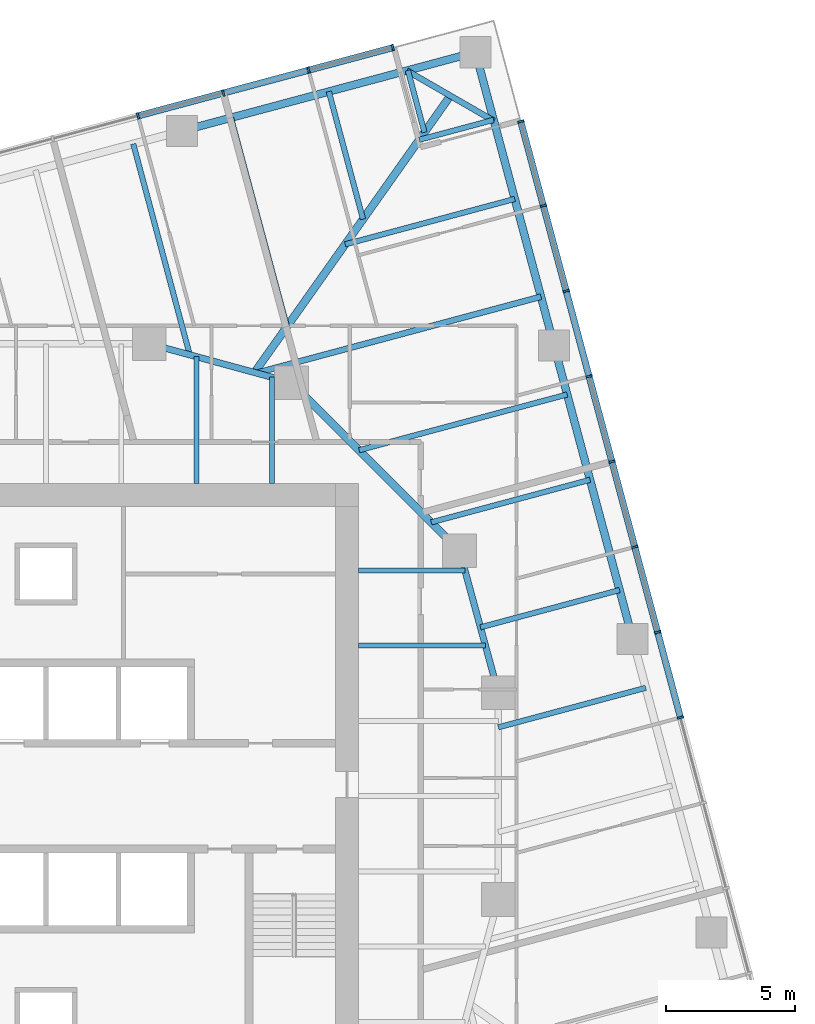
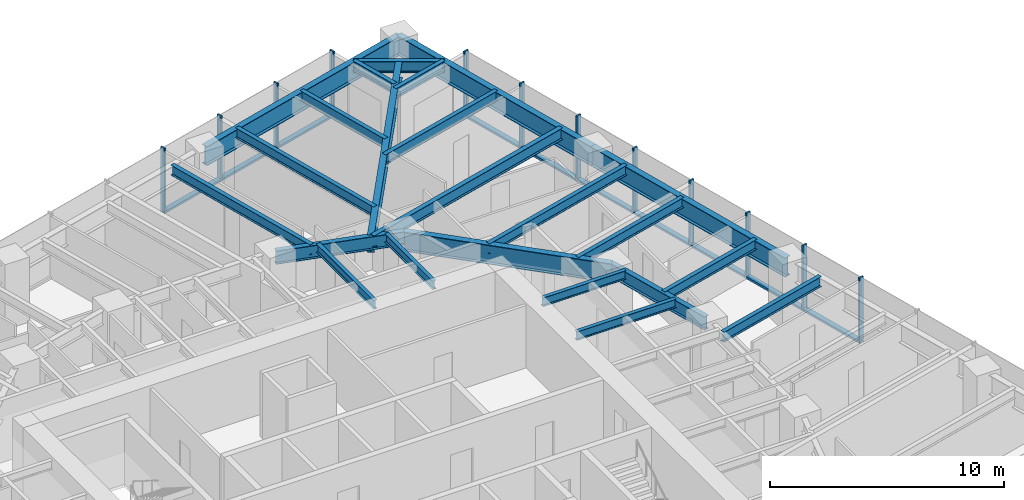
# One storey, part 6 of 15: 23 beams, 22 members, 2 elements without a shape of their own.
"""IFC4 building model written with IfcOpenShell, lengths in metres."""

from ifc_helpers import new_model, si_unit, direction, frame, origin, origin_2d, place, context, subcontext, project, spatial, rectangle, i_section, extrude, material, material_profile, profile_set, type_object, element, aggregate, save


model = new_model("IFC4")

# Units and contexts
model_context = context("Model", 3, precision=1e-05, world=origin(), true_north=direction((0.0, 1.0)))
body_context = subcontext(model_context, "Body", "Model", "MODEL_VIEW")
ifc_project = project(units=[si_unit("LENGTHUNIT", "METRE"), si_unit("AREAUNIT", "SQUARE_METRE"), si_unit("VOLUMEUNIT", "CUBIC_METRE"), si_unit("PLANEANGLEUNIT", "RADIAN"), si_unit("MASSUNIT", "GRAM", prefix="KILO")], contexts=[model_context])

# Site, building, storey
site_placement = place(None, origin())
site = spatial("IfcSite", under=ifc_project, at=site_placement, CompositionType="ELEMENT")
building_placement = place(site_placement, origin())
building = spatial("IfcBuilding", under=site, at=building_placement, Name="Torsade Residences", CompositionType="ELEMENT")
storey_placement = place(building_placement, frame((0.0, 0.0, 132.0)))
storey = spatial("IfcBuildingStorey", under=building, at=storey_placement, Name="L36", CompositionType="ELEMENT", Elevation=132.0)

# Beams
ifc_material_1 = material(Name="Steel grade 300", Category="steel")
ifc_material_profile_1 = material_profile(ifc_material_1, i_section(OverallWidth=0.300048828125, OverallDepth=0.89990234375, WebThickness=0.011962890625, FlangeThickness=0.02490234375, at=origin_2d()), Name="900WB175")
ifc_profile_set_1 = profile_set([ifc_material_profile_1], Name="Steel grade 300")
beam_type_1 = type_object("IfcBeamType", Name="CORNER GIRDER 900WB175", PredefinedType="BEAM", material=ifc_profile_set_1)
beam_1_placement = place(storey_placement, frame((55.644775390625, 57.097412109375, 2.800048828125), z_axis=(-0.577683167004, -0.816261084801, 0.0), x_axis=(0.816261084801, -0.577683167004, 0.0)))
element("IfcBeam", 1, at=beam_1_placement, inside=storey, type_object=beam_type_1, Name="Corner girder 09 L37", PredefinedType="BEAM", context=body_context, shape_type="SweptSolid", body=[
    extrude(i_section(OverallWidth=0.300048828125, OverallDepth=0.89990234375, WebThickness=0.011962890625, FlangeThickness=0.02490234375, at=origin_2d()), origin(), (0.0, 0.0, 1.0), 13.116943359375),
])
ifc_material_2 = material(Name="Steel grade 300", Category="steel")
ifc_material_profile_2 = material_profile(ifc_material_2, i_section(OverallWidth=0.22802734375, OverallDepth=0.60205078125, WebThickness=0.010498046875, FlangeThickness=0.014892578125, FilletRadius=0.013916015625, at=origin_2d()), Name="610UB101")
ifc_profile_set_2 = profile_set([ifc_material_profile_2], Name="Steel grade 300")
beam_type_2 = type_object("IfcBeamType", Name="CORNER TRIMMER 610UB101", PredefinedType="BEAM", material=ifc_profile_set_2)
beam_2_placement = place(storey_placement, frame((53.960693359375, 58.06982421875, 2.948974609375), z_axis=(0.866028782848, -0.499994147244, 0.0), x_axis=(0.499994147244, 0.866028782848, 0.0)))
element("IfcBeam", 2, at=beam_2_placement, inside=storey, type_object=beam_type_2, Name="Corner trimmer 09 L37", PredefinedType="BEAM", context=body_context, shape_type="SweptSolid", body=[
    extrude(i_section(OverallWidth=0.22802734375, OverallDepth=0.60205078125, WebThickness=0.010498046875, FlangeThickness=0.014892578125, FilletRadius=0.013916015625, at=origin_2d()), origin(), (0.0, 0.0, 1.0), 3.88916015625),
])
ifc_material_3 = material(Name="Steel grade 300", Category="steel")
ifc_material_profile_3 = material_profile(ifc_material_3, i_section(OverallWidth=0.300048828125, OverallDepth=1.0, WebThickness=0.01611328125, FlangeThickness=0.028076171875, at=origin_2d()), Name="1000WB215")
ifc_profile_set_3 = profile_set([ifc_material_profile_3], Name="Steel grade 300")
beam_type_3 = type_object("IfcBeamType", Name="EDGE BEAM 1000WB215", PredefinedType="SPANDREL", material=ifc_profile_set_3)
for number, where, z_axis, x_axis, name in (
    (3, (62.69921875, 36.082275390625, 2.75), (-0.258810863021, 0.965928018634, 0.0), (-0.965928018634, -0.258810863021, 0.0), "Edge beam 07 L37"),
    (4, (59.658203125, 47.431884765625, 2.75), (-0.258830249097, 0.965922824118, 0.0), (-0.965922824118, -0.258830249097, 0.0), "Edge beam 08 L37"),
    (5, (56.616943359375, 58.781494140625, 2.75), (-0.965928018634, -0.258810863021, 0.0), (0.258810863021, -0.965928018634, 0.0), "Edge beam 09 L37"),
):
    element("IfcBeam", number, at=place(storey_placement, frame(where, z_axis=z_axis, x_axis=x_axis)), inside=storey, type_object=beam_type_3, Name=name, PredefinedType="SPANDREL", context=body_context, shape_type="SweptSolid", body=[
        extrude(i_section(OverallWidth=0.300048828125, OverallDepth=1.0, WebThickness=0.01611328125, FlangeThickness=0.028076171875, at=origin_2d()), origin(), (0.0, 0.0, 1.0), 11.75),
    ])
ifc_material_4 = material(Name="Steel grade 300", Category="steel")
ifc_material_profile_4 = material_profile(ifc_material_4, i_section(OverallWidth=0.18994140625, OverallDepth=0.4541015625, WebThickness=0.008544921875, FlangeThickness=0.0126953125, FilletRadius=0.011474609375, at=origin_2d()), Name="460UB67.1")
ifc_profile_set_4 = profile_set([ifc_material_profile_4], Name="Steel grade 300")
beam_type_4 = type_object("IfcBeamType", Name="INNER FLOOR BEAM 460UB67.1", PredefinedType="JOIST", material=ifc_profile_set_4)
beam_3_placement = place(storey_placement, frame((45.824951171875, 42.10009765625, 3.02294921875), z_axis=(0.0, 1.0, 0.0), x_axis=(-1.0, 0.0, 0.0)))
element("IfcBeam", 6, at=beam_3_placement, inside=storey, type_object=beam_type_4, Name="Inner floor beam IN06 L37", PredefinedType="JOIST", context=body_context, shape_type="SweptSolid", body=[
    extrude(i_section(OverallWidth=0.18994140625, OverallDepth=0.4541015625, WebThickness=0.008544921875, FlangeThickness=0.0126953125, FilletRadius=0.011474609375, at=origin_2d()), origin(), (0.0, 0.0, 1.0), 4.902099609375),
])
beam_4_placement = place(storey_placement, frame((48.737548828125, 42.10009765625, 3.02294921875), z_axis=(0.0, 1.0, 0.0), x_axis=(-1.0, 0.0, 0.0)))
element("IfcBeam", 7, at=beam_4_placement, inside=storey, type_object=beam_type_4, Name="Inner floor beam IN07 L37", PredefinedType="JOIST", context=body_context, shape_type="SweptSolid", body=[
    extrude(i_section(OverallWidth=0.18994140625, OverallDepth=0.4541015625, WebThickness=0.008544921875, FlangeThickness=0.0126953125, FilletRadius=0.011474609375, at=origin_2d()), origin(), (0.0, 0.0, 1.0), 4.10791015625),
])
beam_5_placement = place(storey_placement, frame((52.10009765625, 35.824951171875, 3.02294921875), z_axis=(1.0, 0.0, 0.0), x_axis=(0.0, 1.0, 0.0)))
element("IfcBeam", 8, at=beam_5_placement, inside=storey, type_object=beam_type_4, Name="Inner floor beam IE06 L37", PredefinedType="JOIST", context=body_context, shape_type="SweptSolid", body=[
    extrude(i_section(OverallWidth=0.18994140625, OverallDepth=0.4541015625, WebThickness=0.008544921875, FlangeThickness=0.0126953125, FilletRadius=0.011474609375, at=origin_2d()), origin(), (0.0, 0.0, 1.0), 4.902099609375),
])
beam_6_placement = place(storey_placement, frame((52.10009765625, 38.737548828125, 3.02294921875), z_axis=(1.0, 0.0, 0.0), x_axis=(0.0, 1.0, 0.0)))
element("IfcBeam", 9, at=beam_6_placement, inside=storey, type_object=beam_type_4, Name="Inner floor beam IE07 L37", PredefinedType="JOIST", context=body_context, shape_type="SweptSolid", body=[
    extrude(i_section(OverallWidth=0.18994140625, OverallDepth=0.4541015625, WebThickness=0.008544921875, FlangeThickness=0.0126953125, FilletRadius=0.011474609375, at=origin_2d()), origin(), (0.0, 0.0, 1.0), 4.10791015625),
])

# Curtain wall, members
ifc_material_5 = material(Name="Aluminium and glass", Category="aluminium")
curtain_wall_type = type_object("IfcCurtainWallType", Name="FRITTED GLASS CURTAIN WALL MID ZONE", PredefinedType="NOTDEFINED", material=ifc_material_5)
curtain_wall_1_placement = place(storey_placement, origin())
curtain_wall_1 = element("IfcCurtainWall", 10, at=curtain_wall_1_placement, inside=storey, type_object=curtain_wall_type, Name="Curtain wall L36 face 4", PredefinedType="NOTDEFINED")
ifc_material_6 = material(Name="Aluminium mullion", Category="aluminium")
ifc_material_profile_5 = material_profile(ifc_material_6, rectangle(XDim=0.25, YDim=0.080078125, at=origin_2d()), Name="MID ZONE CURTAIN WALL MULLION 250x80")
ifc_profile_set_5 = profile_set([ifc_material_profile_5], Name="Aluminium mullion")
member_type_1 = type_object("IfcMemberType", Name="MID ZONE CURTAIN WALL MULLION 250x80", PredefinedType="MULLION", material=ifc_profile_set_5)
member_1_placement = place(storey_placement, frame((64.549560546875, 33.040771484375, 0.0), z_axis=(0.0, 0.0, 1.0), x_axis=(-0.965925825571, -0.258819047783, 0.0)))
member_1 = element("IfcMember", 11, at=member_1_placement, type_object=member_type_1, Name="Mullion 6", PredefinedType="MULLION", context=body_context, shape_type="SweptSolid", body=[
    extrude(rectangle(XDim=0.25, YDim=0.080078125, at=origin_2d()), origin(), (0.0, 0.0, 1.0), 3.39990234375),
])
member_2_placement = place(storey_placement, frame((63.665283203125, 36.341064453125, 0.0), z_axis=(0.0, 0.0, 1.0), x_axis=(-0.965925825571, -0.258819047783, 0.0)))
member_2 = element("IfcMember", 12, at=member_2_placement, type_object=member_type_1, Name="Mullion 7", PredefinedType="MULLION", context=body_context, shape_type="SweptSolid", body=[
    extrude(rectangle(XDim=0.25, YDim=0.080078125, at=origin_2d()), origin(), (0.0, 0.0, 1.0), 3.39990234375),
])
member_3_placement = place(storey_placement, frame((62.781005859375, 39.641357421875, 0.0), z_axis=(0.0, 0.0, 1.0), x_axis=(-0.965925825571, -0.258819047783, 0.0)))
member_3 = element("IfcMember", 13, at=member_3_placement, type_object=member_type_1, Name="Mullion 8", PredefinedType="MULLION", context=body_context, shape_type="SweptSolid", body=[
    extrude(rectangle(XDim=0.25, YDim=0.080078125, at=origin_2d()), origin(), (0.0, 0.0, 1.0), 3.39990234375),
])
member_4_placement = place(storey_placement, frame((61.896484375, 42.941650390625, 0.0), z_axis=(0.0, 0.0, 1.0), x_axis=(-0.965925825571, -0.258819047783, 0.0)))
member_4 = element("IfcMember", 14, at=member_4_placement, type_object=member_type_1, Name="Mullion 9", PredefinedType="MULLION", context=body_context, shape_type="SweptSolid", body=[
    extrude(rectangle(XDim=0.25, YDim=0.080078125, at=origin_2d()), origin(), (0.0, 0.0, 1.0), 3.39990234375),
])
member_5_placement = place(storey_placement, frame((61.01220703125, 46.24169921875, 0.0), z_axis=(0.0, 0.0, 1.0), x_axis=(-0.965925825571, -0.258819047783, 0.0)))
member_5 = element("IfcMember", 15, at=member_5_placement, type_object=member_type_1, Name="Mullion 10", PredefinedType="MULLION", context=body_context, shape_type="SweptSolid", body=[
    extrude(rectangle(XDim=0.25, YDim=0.080078125, at=origin_2d()), origin(), (0.0, 0.0, 1.0), 3.39990234375),
])
member_6_placement = place(storey_placement, frame((60.1279296875, 49.5419921875, 0.0), z_axis=(0.0, 0.0, 1.0), x_axis=(-0.965925825571, -0.258819047783, 0.0)))
member_6 = element("IfcMember", 16, at=member_6_placement, type_object=member_type_1, Name="Mullion 11", PredefinedType="MULLION", context=body_context, shape_type="SweptSolid", body=[
    extrude(rectangle(XDim=0.25, YDim=0.080078125, at=origin_2d()), origin(), (0.0, 0.0, 1.0), 3.39990234375),
])
member_7_placement = place(storey_placement, frame((59.24365234375, 52.84228515625, 0.0), z_axis=(0.0, 0.0, 1.0), x_axis=(-0.965925825571, -0.258819047783, 0.0)))
member_7 = element("IfcMember", 17, at=member_7_placement, type_object=member_type_1, Name="Mullion 12", PredefinedType="MULLION", context=body_context, shape_type="SweptSolid", body=[
    extrude(rectangle(XDim=0.25, YDim=0.080078125, at=origin_2d()), origin(), (0.0, 0.0, 1.0), 3.39990234375),
])
member_8_placement = place(storey_placement, frame((58.36962890625, 56.10400390625, 0.0), z_axis=(0.0, 0.0, 1.0), x_axis=(-0.965925825571, -0.258819047783, 0.0)))
member_8 = element("IfcMember", 18, at=member_8_placement, type_object=member_type_1, Name="Mullion 13", PredefinedType="MULLION", context=body_context, shape_type="SweptSolid", body=[
    extrude(rectangle(XDim=0.25, YDim=0.080078125, at=origin_2d()), origin(), (0.0, 0.0, 1.0), 3.39990234375),
])

curtain_wall_2_placement = place(storey_placement, origin())
curtain_wall_2 = element("IfcCurtainWall", 19, at=curtain_wall_2_placement, inside=storey, type_object=curtain_wall_type, Name="Curtain wall L36 face 7", PredefinedType="NOTDEFINED")
member_9_placement = place(storey_placement, frame((53.421875, 58.960693359375, 0.0), z_axis=(0.0, 0.0, 1.0), x_axis=(0.258819047783, -0.965925825571, 0.0)))
member_9 = element("IfcMember", 20, at=member_9_placement, type_object=member_type_1, Name="Mullion 1", PredefinedType="MULLION", context=body_context, shape_type="SweptSolid", body=[
    extrude(rectangle(XDim=0.25, YDim=0.080078125, at=origin_2d()), origin(), (0.0, 0.0, 1.0), 3.39990234375),
])
member_10_placement = place(storey_placement, frame((50.16015625, 58.086669921875, 0.0), z_axis=(0.0, 0.0, 1.0), x_axis=(0.258819047783, -0.965925825571, 0.0)))
member_10 = element("IfcMember", 21, at=member_10_placement, type_object=member_type_1, Name="Mullion 2", PredefinedType="MULLION", context=body_context, shape_type="SweptSolid", body=[
    extrude(rectangle(XDim=0.25, YDim=0.080078125, at=origin_2d()), origin(), (0.0, 0.0, 1.0), 3.39990234375),
])
member_11_placement = place(storey_placement, frame((46.85986328125, 57.202392578125, 0.0), z_axis=(0.0, 0.0, 1.0), x_axis=(0.258819047783, -0.965925825571, 0.0)))
member_11 = element("IfcMember", 22, at=member_11_placement, type_object=member_type_1, Name="Mullion 3", PredefinedType="MULLION", context=body_context, shape_type="SweptSolid", body=[
    extrude(rectangle(XDim=0.25, YDim=0.080078125, at=origin_2d()), origin(), (0.0, 0.0, 1.0), 3.39990234375),
])
member_12_placement = place(storey_placement, frame((43.5595703125, 56.318115234375, 0.0), z_axis=(0.0, 0.0, 1.0), x_axis=(0.258819047783, -0.965925825571, 0.0)))
member_12 = element("IfcMember", 23, at=member_12_placement, type_object=member_type_1, Name="Mullion 4", PredefinedType="MULLION", context=body_context, shape_type="SweptSolid", body=[
    extrude(rectangle(XDim=0.25, YDim=0.080078125, at=origin_2d()), origin(), (0.0, 0.0, 1.0), 3.39990234375),
])

# Member
ifc_material_7 = material(Name="Aluminium transom", Category="aluminium")
ifc_material_profile_6 = material_profile(ifc_material_7, rectangle(XDim=0.25, YDim=0.110107421875, at=origin_2d()), Name="MID ZONE CURTAIN WALL TRANSOM 250x110")
ifc_profile_set_6 = profile_set([ifc_material_profile_6], Name="Aluminium transom")
member_type_2 = type_object("IfcMemberType", Name="MID ZONE CURTAIN WALL TRANSOM 250x110", PredefinedType="USERDEFINED", material=ifc_profile_set_6)
member_13_placement = place(storey_placement, frame((64.5390625, 33.079345703125, 0.054931640625), z_axis=(-0.258787285653, 0.965934335648, 0.0), x_axis=(-0.965934335648, -0.258787285653, 0.0)))
member_13 = element("IfcMember", 24, at=member_13_placement, type_object=member_type_2, Name="Transom 6.1", ObjectType="TRANSOM", PredefinedType="USERDEFINED", context=body_context, shape_type="SweptSolid", body=[
    extrude(rectangle(XDim=0.25, YDim=0.110107421875, at=origin_2d()), origin(), (0.0, 0.0, 1.0), 3.3369140625),
])

member_14_placement = place(storey_placement, frame((63.65478515625, 36.379638671875, 0.054931640625), z_axis=(-0.258787285653, 0.965934335648, 0.0), x_axis=(-0.965934335648, -0.258787285653, 0.0)))
member_14 = element("IfcMember", 25, at=member_14_placement, type_object=member_type_2, Name="Transom 7.1", ObjectType="TRANSOM", PredefinedType="USERDEFINED", context=body_context, shape_type="SweptSolid", body=[
    extrude(rectangle(XDim=0.25, YDim=0.110107421875, at=origin_2d()), origin(), (0.0, 0.0, 1.0), 3.3369140625),
])

member_15_placement = place(storey_placement, frame((62.7705078125, 39.679931640625, 0.054931640625), z_axis=(-0.258805576255, 0.965929435155, 0.0), x_axis=(-0.965929435155, -0.258805576255, 0.0)))
member_15 = element("IfcMember", 26, at=member_15_placement, type_object=member_type_2, Name="Transom 8.1", ObjectType="TRANSOM", PredefinedType="USERDEFINED", context=body_context, shape_type="SweptSolid", body=[
    extrude(rectangle(XDim=0.25, YDim=0.110107421875, at=origin_2d()), origin(), (0.0, 0.0, 1.0), 3.336669921875),
])

member_16_placement = place(storey_placement, frame((61.88623046875, 42.980224609375, 0.054931640625), z_axis=(-0.258805576255, 0.965929435155, 0.0), x_axis=(-0.965929435155, -0.258805576255, 0.0)))
member_16 = element("IfcMember", 27, at=member_16_placement, type_object=member_type_2, Name="Transom 9.1", ObjectType="TRANSOM", PredefinedType="USERDEFINED", context=body_context, shape_type="SweptSolid", body=[
    extrude(rectangle(XDim=0.25, YDim=0.110107421875, at=origin_2d()), origin(), (0.0, 0.0, 1.0), 3.336669921875),
])

member_17_placement = place(storey_placement, frame((61.001953125, 46.280517578125, 0.054931640625), z_axis=(-0.258805576255, 0.965929435155, 0.0), x_axis=(-0.965929435155, -0.258805576255, 0.0)))
member_17 = element("IfcMember", 28, at=member_17_placement, type_object=member_type_2, Name="Transom 10.1", ObjectType="TRANSOM", PredefinedType="USERDEFINED", context=body_context, shape_type="SweptSolid", body=[
    extrude(rectangle(XDim=0.25, YDim=0.110107421875, at=origin_2d()), origin(), (0.0, 0.0, 1.0), 3.336669921875),
])

member_18_placement = place(storey_placement, frame((60.11767578125, 49.580810546875, 0.054931640625), z_axis=(-0.258805576255, 0.965929435155, 0.0), x_axis=(-0.965929435155, -0.258805576255, 0.0)))
member_18 = element("IfcMember", 29, at=member_18_placement, type_object=member_type_2, Name="Transom 11.1", ObjectType="TRANSOM", PredefinedType="USERDEFINED", context=body_context, shape_type="SweptSolid", body=[
    extrude(rectangle(XDim=0.25, YDim=0.110107421875, at=origin_2d()), origin(), (0.0, 0.0, 1.0), 3.336669921875),
])

member_19_placement = place(storey_placement, frame((59.2333984375, 52.880859375, 0.054931640625), z_axis=(-0.258828627534, 0.965923258633, 0.0), x_axis=(-0.965923258633, -0.258828627534, 0.0)))
member_19 = element("IfcMember", 30, at=member_19_placement, type_object=member_type_2, Name="Transom 12.1", ObjectType="TRANSOM", PredefinedType="USERDEFINED", context=body_context, shape_type="SweptSolid", body=[
    extrude(rectangle(XDim=0.25, YDim=0.110107421875, at=origin_2d()), origin(), (0.0, 0.0, 1.0), 3.296630859375),
])

aggregate(curtain_wall_1, [member_1, member_2, member_3, member_4, member_5, member_6, member_7, member_8, member_13, member_14, member_15, member_16, member_17, member_18, member_19])

member_20_placement = place(storey_placement, frame((53.383056640625, 58.9501953125, 0.054931640625), z_axis=(-0.965923258633, -0.258828627534, 0.0), x_axis=(0.258828627534, -0.965923258633, 0.0)))
member_20 = element("IfcMember", 31, at=member_20_placement, type_object=member_type_2, Name="Transom 1.1", ObjectType="TRANSOM", PredefinedType="USERDEFINED", context=body_context, shape_type="SweptSolid", body=[
    extrude(rectangle(XDim=0.25, YDim=0.110107421875, at=origin_2d()), origin(), (0.0, 0.0, 1.0), 3.296630859375),
])

member_21_placement = place(storey_placement, frame((50.12158203125, 58.076416015625, 0.054931640625), z_axis=(-0.965916044226, -0.258855549498, 0.0), x_axis=(0.258855549498, -0.965916044226, 0.0)))
member_21 = element("IfcMember", 32, at=member_21_placement, type_object=member_type_2, Name="Transom 2.1", ObjectType="TRANSOM", PredefinedType="USERDEFINED", context=body_context, shape_type="SweptSolid", body=[
    extrude(rectangle(XDim=0.25, YDim=0.110107421875, at=origin_2d()), origin(), (0.0, 0.0, 1.0), 3.3369140625),
])

member_22_placement = place(storey_placement, frame((46.8212890625, 57.192138671875, 0.054931640625), z_axis=(-0.96591114124, -0.258873844232, 0.0), x_axis=(0.258873844232, -0.96591114124, 0.0)))
member_22 = element("IfcMember", 33, at=member_22_placement, type_object=member_type_2, Name="Transom 3.1", ObjectType="TRANSOM", PredefinedType="USERDEFINED", context=body_context, shape_type="SweptSolid", body=[
    extrude(rectangle(XDim=0.25, YDim=0.110107421875, at=origin_2d()), origin(), (0.0, 0.0, 1.0), 3.336669921875),
])

aggregate(curtain_wall_2, [member_9, member_10, member_11, member_12, member_20, member_21, member_22])

# Beams
ifc_material_8 = material(Name="Steel grade 300", Category="steel")
ifc_material_profile_7 = material_profile(ifc_material_8, i_section(OverallWidth=0.300048828125, OverallDepth=1.0, WebThickness=0.01611328125, FlangeThickness=0.028076171875, at=origin_2d()), Name="1000WB215")
ifc_profile_set_7 = profile_set([ifc_material_profile_7], Name="Steel grade 300")
beam_type_5 = type_object("IfcBeamType", Name="RING CORNER GIRDER 1000WB215", PredefinedType="BEAM", material=ifc_profile_set_7)
beam_7_placement = place(storey_placement, frame((56.0, 39.5, 2.75), z_axis=(-0.707106781187, 0.707106781187, 0.0), x_axis=(-0.707106781187, -0.707106781187, 0.0)))
element("IfcBeam", 34, at=beam_7_placement, inside=storey, type_object=beam_type_5, Name="Ring girder IR03 L37", PredefinedType="BEAM", context=body_context, shape_type="SweptSolid", body=[
    extrude(i_section(OverallWidth=0.300048828125, OverallDepth=1.0, WebThickness=0.01611328125, FlangeThickness=0.028076171875, at=origin_2d()), origin(), (0.0, 0.0, 1.0), 9.1923828125),
])
ifc_material_9 = material(Name="Steel grade 300", Category="steel")
ifc_material_profile_8 = material_profile(ifc_material_9, i_section(OverallWidth=0.25, OverallDepth=0.699951171875, WebThickness=0.010009765625, FlangeThickness=0.02001953125, at=origin_2d()), Name="700WB130")
ifc_profile_set_8 = profile_set([ifc_material_profile_8], Name="Steel grade 300")
beam_type_6 = type_object("IfcBeamType", Name="RING GIRDER 700WB130", PredefinedType="BEAM", material=ifc_profile_set_8)
for number, where, z_axis, x_axis, name in (
    (35, (57.5, 34.0, 2.89990234375), (-0.263117405792, 0.964763821238, 0.0), (-0.964763821238, -0.263117405792, 0.0), "Ring girder IR02 L37"),
    (36, (49.5, 46.0, 2.89990234375), (-0.964763821238, 0.263117405792, 0.0), (-0.263117405792, -0.964763821238, 0.0), "Ring girder IR04 L37"),
):
    element("IfcBeam", number, at=place(storey_placement, frame(where, z_axis=z_axis, x_axis=x_axis)), inside=storey, type_object=beam_type_6, Name=name, PredefinedType="BEAM", context=body_context, shape_type="SweptSolid", body=[
        extrude(i_section(OverallWidth=0.25, OverallDepth=0.699951171875, WebThickness=0.010009765625, FlangeThickness=0.02001953125, at=origin_2d()), origin(), (0.0, 0.0, 1.0), 5.700927734375),
    ])
ifc_material_10 = material(Name="Steel grade 300", Category="steel")
ifc_material_profile_9 = material_profile(ifc_material_10, i_section(OverallWidth=0.208984375, OverallDepth=0.528076171875, WebThickness=0.009521484375, FlangeThickness=0.01318359375, FilletRadius=0.013916015625, at=origin_2d()), Name="530UB82.0")
ifc_profile_set_9 = profile_set([ifc_material_profile_9], Name="Steel grade 300")
beam_type_7 = type_object("IfcBeamType", Name="SECONDARY BEAM 530UB82.0", PredefinedType="JOIST", material=ifc_profile_set_9)
beam_8_placement = place(storey_placement, frame((63.2060546875, 34.190673828125, 2.986083984375), z_axis=(-0.965920748174, -0.258837996141, 0.0), x_axis=(0.258837996141, -0.965920748174, 0.0)))
element("IfcBeam", 37, at=beam_8_placement, inside=storey, type_object=beam_type_7, Name="Floor beam FE06 L37", PredefinedType="JOIST", context=body_context, shape_type="SweptSolid", body=[
    extrude(i_section(OverallWidth=0.208984375, OverallDepth=0.528076171875, WebThickness=0.009521484375, FlangeThickness=0.01318359375, FilletRadius=0.013916015625, at=origin_2d()), origin(), (0.0, 0.0, 1.0), 5.907470703125),
])
beam_9_placement = place(storey_placement, frame((62.1923828125, 37.973876953125, 2.986083984375), z_axis=(-0.965923020144, -0.258829517553, 0.0), x_axis=(0.258829517553, -0.965923020144, 0.0)))
element("IfcBeam", 38, at=beam_9_placement, inside=storey, type_object=beam_type_7, Name="Floor beam FE07 L37", PredefinedType="JOIST", context=body_context, shape_type="SweptSolid", body=[
    extrude(i_section(OverallWidth=0.208984375, OverallDepth=0.528076171875, WebThickness=0.009521484375, FlangeThickness=0.01318359375, FilletRadius=0.013916015625, at=origin_2d()), origin(), (0.0, 0.0, 1.0), 5.57275390625),
])
beam_10_placement = place(storey_placement, frame((61.04931640625, 42.239990234375, 2.986083984375), z_axis=(-0.965929717932, -0.258804520856, 0.0), x_axis=(0.258804520856, -0.965929717932, 0.0)))
element("IfcBeam", 39, at=beam_10_placement, inside=storey, type_object=beam_type_7, Name="Floor beam FE08 L37", PredefinedType="JOIST", context=body_context, shape_type="SweptSolid", body=[
    extrude(i_section(OverallWidth=0.208984375, OverallDepth=0.528076171875, WebThickness=0.009521484375, FlangeThickness=0.01318359375, FilletRadius=0.013916015625, at=origin_2d()), origin(), (0.0, 0.0, 1.0), 6.360107421875),
])
beam_11_placement = place(storey_placement, frame((60.1650390625, 45.540283203125, 2.986083984375), z_axis=(-0.96592202475, -0.258833232221, 0.0), x_axis=(0.258833232221, -0.96592202475, 0.0)))
element("IfcBeam", 40, at=beam_11_placement, inside=storey, type_object=beam_type_7, Name="Floor beam FE09 L37", PredefinedType="JOIST", context=body_context, shape_type="SweptSolid", body=[
    extrude(i_section(OverallWidth=0.208984375, OverallDepth=0.528076171875, WebThickness=0.009521484375, FlangeThickness=0.01318359375, FilletRadius=0.013916015625, at=origin_2d()), origin(), (0.0, 0.0, 1.0), 8.33251953125),
])
beam_12_placement = place(storey_placement, frame((58.137451171875, 53.106689453125, 2.986083984375), z_axis=(-0.965927035229, -0.258814533235, 0.0), x_axis=(0.258814533235, -0.965927035229, 0.0)))
element("IfcBeam", 41, at=beam_12_placement, inside=storey, type_object=beam_type_7, Name="Floor beam FE11 L37", PredefinedType="JOIST", context=body_context, shape_type="SweptSolid", body=[
    extrude(i_section(OverallWidth=0.208984375, OverallDepth=0.528076171875, WebThickness=0.009521484375, FlangeThickness=0.01318359375, FilletRadius=0.013916015625, at=origin_2d()), origin(), (0.0, 0.0, 1.0), 6.792724609375),
])
beam_13_placement = place(storey_placement, frame((57.31787109375, 56.16552734375, 2.986083984375), z_axis=(-0.965913310475, -0.258865750242, 0.0), x_axis=(0.258865750242, -0.965913310475, 0.0)))
element("IfcBeam", 42, at=beam_13_placement, inside=storey, type_object=beam_type_7, Name="Floor beam FE12 L37", PredefinedType="JOIST", context=body_context, shape_type="SweptSolid", body=[
    extrude(i_section(OverallWidth=0.208984375, OverallDepth=0.528076171875, WebThickness=0.009521484375, FlangeThickness=0.01318359375, FilletRadius=0.013916015625, at=origin_2d()), origin(), (0.0, 0.0, 1.0), 2.980224609375),
])
beam_14_placement = place(storey_placement, frame((54.0009765625, 58.08056640625, 2.986083984375), z_axis=(0.258837674225, -0.965920834438, 0.0), x_axis=(0.965920834438, 0.258837674225, 0.0)))
element("IfcBeam", 43, at=beam_14_placement, inside=storey, type_object=beam_type_7, Name="Floor beam FN01 L37", PredefinedType="JOIST", context=body_context, shape_type="SweptSolid", body=[
    extrude(i_section(OverallWidth=0.208984375, OverallDepth=0.528076171875, WebThickness=0.009521484375, FlangeThickness=0.01318359375, FilletRadius=0.013916015625, at=origin_2d()), origin(), (0.0, 0.0, 1.0), 2.482666015625),
])
beam_15_placement = place(storey_placement, frame((50.942138671875, 57.260986328125, 2.986083984375), z_axis=(0.258815647274, -0.965926736728, 0.0), x_axis=(0.965926736728, 0.258815647274, 0.0)))
element("IfcBeam", 44, at=beam_15_placement, inside=storey, type_object=beam_type_7, Name="Floor beam FN02 L37", PredefinedType="JOIST", context=body_context, shape_type="SweptSolid", body=[
    extrude(i_section(OverallWidth=0.208984375, OverallDepth=0.528076171875, WebThickness=0.009521484375, FlangeThickness=0.01318359375, FilletRadius=0.013916015625, at=origin_2d()), origin(), (0.0, 0.0, 1.0), 5.11279296875),
])
beam_16_placement = place(storey_placement, frame((47.158935546875, 56.247314453125, 2.986083984375), z_axis=(0.258823120582, -0.965924734258, 0.0), x_axis=(0.965924734258, 0.258823120582, 0.0)))
element("IfcBeam", 45, at=beam_16_placement, inside=storey, type_object=beam_type_7, Name="Floor beam FN03 L37", PredefinedType="JOIST", context=body_context, shape_type="SweptSolid", body=[
    extrude(i_section(OverallWidth=0.208984375, OverallDepth=0.528076171875, WebThickness=0.009521484375, FlangeThickness=0.01318359375, FilletRadius=0.013916015625, at=origin_2d()), origin(), (0.0, 0.0, 1.0), 8.365966796875),
])
beam_17_placement = place(storey_placement, frame((43.375732421875, 55.233642578125, 2.986083984375), z_axis=(0.258808315464, -0.965928701223, 0.0), x_axis=(0.965928701223, 0.258808315464, 0.0)))
element("IfcBeam", 46, at=beam_17_placement, inside=storey, type_object=beam_type_7, Name="Floor beam FN04 L37", PredefinedType="JOIST", context=body_context, shape_type="SweptSolid", body=[
    extrude(i_section(OverallWidth=0.208984375, OverallDepth=0.528076171875, WebThickness=0.009521484375, FlangeThickness=0.01318359375, FilletRadius=0.013916015625, at=origin_2d()), origin(), (0.0, 0.0, 1.0), 8.447509765625),
])
ifc_material_11 = material(Name="Steel grade 300", Category="steel")
ifc_material_profile_10 = material_profile(ifc_material_11, i_section(OverallWidth=0.22900390625, OverallDepth=0.612060546875, WebThickness=0.011962890625, FlangeThickness=0.01953125, FilletRadius=0.013916015625, at=origin_2d()), Name="610UB125")
ifc_profile_set_10 = profile_set([ifc_material_profile_10], Name="Steel grade 300")
beam_type_8 = type_object("IfcBeamType", Name="SECONDARY BEAM 610UB125", PredefinedType="JOIST", material=ifc_profile_set_10)
beam_18_placement = place(storey_placement, frame((59.1513671875, 49.323486328125, 2.944091796875), z_axis=(-0.965929035417, -0.258807068179, 0.0), x_axis=(0.258807068179, -0.965929035417, 0.0)))
element("IfcBeam", 47, at=beam_18_placement, inside=storey, type_object=beam_type_8, Name="Floor beam FE10 L37", PredefinedType="JOIST", context=body_context, shape_type="SweptSolid", body=[
    extrude(i_section(OverallWidth=0.22900390625, OverallDepth=0.612060546875, WebThickness=0.011962890625, FlangeThickness=0.01953125, FilletRadius=0.013916015625, at=origin_2d()), origin(), (0.0, 0.0, 1.0), 11.40380859375),
])

save(model, "model.ifc")
